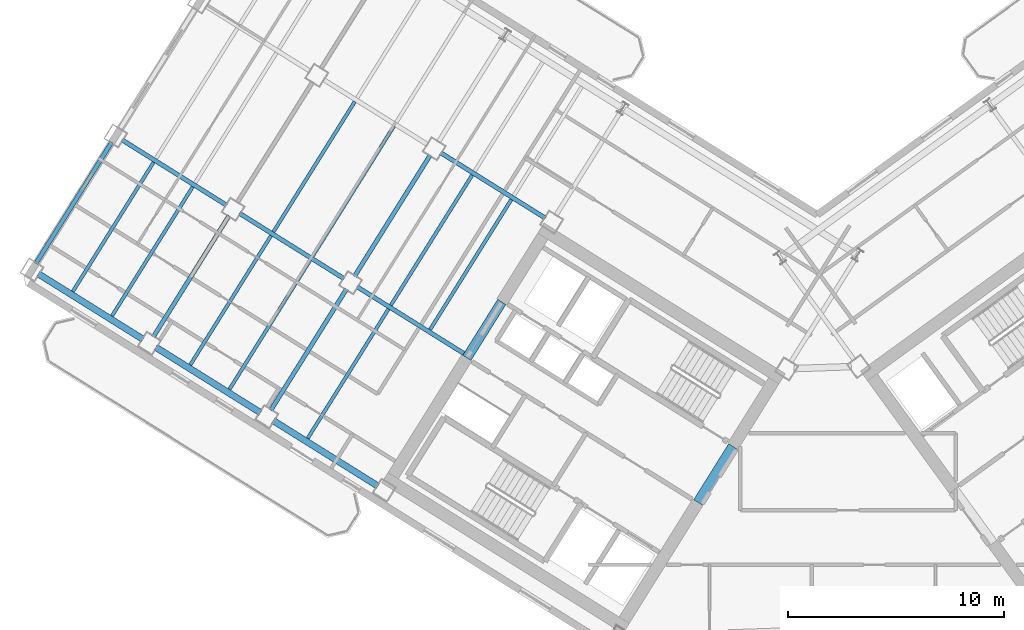
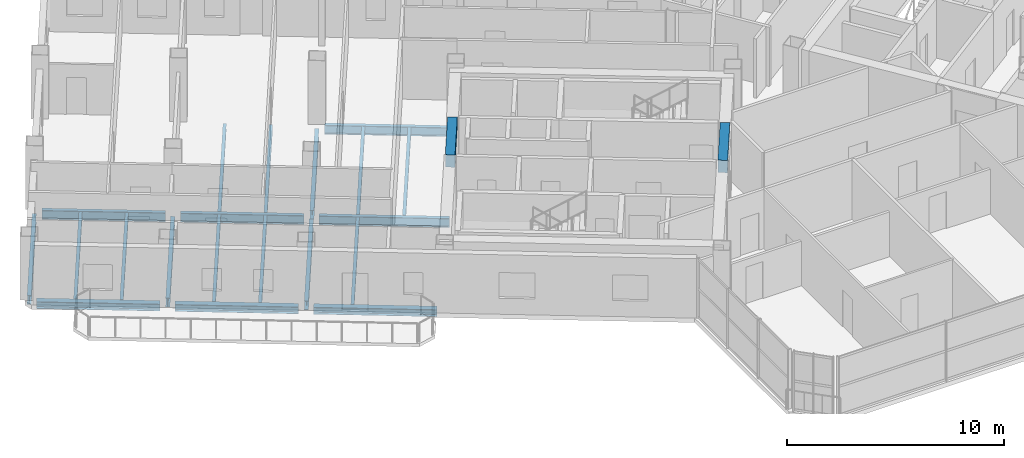
# One storey, part 5 of 20: 22 beams.
"""IFC4 building model written with IfcOpenShell, lengths in metres."""

import ifcopenshell
import ifcopenshell.guid

model = None  # the IFC model being written
_history = None  # IfcOwnerHistory: only IFC2X3 demands one
_inside = {}  # id of a spatial element -> (the spatial element, [elements in it])
_under = {}  # id of a project, library or spatial element -> (it, [spatial elements below it])
_declared = {}  # id of a project -> (the project, [libraries it declares])
_typed = {}  # id of a type object -> (the type object, [elements of that type])
_made_of = {}  # id of a material, layer set ... -> (it, [elements and type objects made of it])


def new_model(schema):
    """Start an empty IFC model of exactly this schema.

    Asked for "IFC4X3", IfcOpenShell would pick the latest addendum, in which some entities
    have other attributes; the version numbers below select the first issue.
    IFC2X3 requires an IfcOwnerHistory on every rooted entity: one is made here for all.
    """
    global model, _history
    if schema == "IFC4X3":
        model = ifcopenshell.file(schema_version=(4, 3, 0, 0))
    else:
        model = ifcopenshell.file(schema=schema)
    _inside.clear()
    _under.clear()
    _declared.clear()
    _typed.clear()
    _made_of.clear()
    _history = None
    if model.schema == "IFC2X3":
        org = make("IfcOrganization", Name="unknown")
        user = make(
            "IfcPersonAndOrganization",
            ThePerson=make("IfcPerson", FamilyName="unknown"),
            TheOrganization=org,
        )
        app = make(
            "IfcApplication",
            ApplicationDeveloper=org,
            Version="unknown",
            ApplicationFullName="unknown",
            ApplicationIdentifier="unknown",
        )
        _history = make(
            "IfcOwnerHistory",
            OwningUser=user,
            OwningApplication=app,
            ChangeAction="ADDED",
            CreationDate=0,
        )
    return model


def make(cls, **values):
    """One entity of the class cls with the attributes given. An attribute that is None is left unset."""
    return model.create_entity(
        cls, **{name: value for name, value in values.items() if value is not None}
    )


def rooted(cls, **values):
    """An entity with a GlobalId (a new one), such as an element, a storey or a relation."""
    return make(cls, GlobalId=ifcopenshell.guid.new(), OwnerHistory=_history, **values)


def si_unit(unit_type, name, prefix=None):
    """IfcSIUnit, for example si_unit("LENGTHUNIT", "METRE", prefix="MILLI")."""
    return make("IfcSIUnit", UnitType=unit_type, Prefix=prefix, Name=name)


def assignment(units):
    """IfcUnitAssignment: the units of a project."""
    return None if units is None else make("IfcUnitAssignment", Units=units)


def point(xyz):
    """IfcCartesianPoint."""
    return None if xyz is None else make("IfcCartesianPoint", Coordinates=xyz)


def direction(xyz):
    """IfcDirection."""
    return None if xyz is None else make("IfcDirection", DirectionRatios=xyz)


def frame(location, z_axis=None, x_axis=None):
    """IfcAxis2Placement3D, a coordinate frame: its origin and axes. An axis left out is left unset."""
    return make(
        "IfcAxis2Placement3D",
        Location=point(location),
        Axis=direction(z_axis),
        RefDirection=direction(x_axis),
    )


def frame_2d(location, x_axis=None):
    """IfcAxis2Placement2D, a coordinate frame in the plane: its origin and x axis."""
    return make(
        "IfcAxis2Placement2D", Location=point(location), RefDirection=direction(x_axis)
    )


def origin():
    """The frame at (0, 0, 0) with its axes left unset."""
    return frame((0.0, 0.0, 0.0))


def origin_2d():
    """The frame at (0, 0) in the plane with its x axis left unset."""
    return frame_2d((0.0, 0.0))


def place(relative_to, where):
    """IfcLocalPlacement: puts the frame where relative to a parent placement (None: the world)."""
    return make(
        "IfcLocalPlacement", PlacementRelTo=relative_to, RelativePlacement=where
    )


def context(
    kind, dimensions, precision=None, world=None, true_north=None, identifier=None
):
    """IfcGeometricRepresentationContext, for example the 3D "Model" context."""
    return make(
        "IfcGeometricRepresentationContext",
        ContextIdentifier=identifier,
        ContextType=kind,
        CoordinateSpaceDimension=dimensions,
        Precision=precision,
        WorldCoordinateSystem=world,
        TrueNorth=true_north,
    )


def subcontext(parent, identifier, kind, view, scale=None):
    """IfcGeometricRepresentationSubContext, for example "Body" below "Model"."""
    return make(
        "IfcGeometricRepresentationSubContext",
        ContextIdentifier=identifier,
        ContextType=kind,
        ParentContext=parent,
        TargetScale=scale,
        TargetView=view,
    )


def project(units=None, contexts=None):
    """IfcProject with its units and contexts."""
    return rooted(
        "IfcProject",
        Name="project",
        RepresentationContexts=contexts,
        UnitsInContext=assignment(units),
    )


def spatial(cls, under=None, at=None, **own):
    """A site, building, storey or space (cls), placed at a placement, below another one or the project."""
    s = rooted(cls, ObjectPlacement=at, **own)
    if under is not None:
        _under.setdefault(under.id(), (under, []))[1].append(s)
    return s


def profile(cls, at=None, kind="AREA", **sizes):
    """A parametric profile (cls). Its sizes go by their IFC names, for example OverallWidth=200.0."""
    return make(cls, ProfileType=kind, Position=at, **sizes)


def rectangle(**sizes):
    """IfcRectangleProfileDef."""
    return profile("IfcRectangleProfileDef", **sizes)


def i_section(**sizes):
    """IfcIShapeProfileDef."""
    return profile("IfcIShapeProfileDef", **sizes)


def extrude(swept, where, along, depth):
    """IfcExtrudedAreaSolid: the profile swept, set in the frame where, extruded along a direction by depth."""
    return make(
        "IfcExtrudedAreaSolid",
        SweptArea=swept,
        Position=where,
        ExtrudedDirection=direction(along),
        Depth=depth,
    )


def shape(context_of_items, identifier, shape_type, items):
    """IfcShapeRepresentation: the items that make up one representation, for example the "Body"."""
    return make(
        "IfcShapeRepresentation",
        ContextOfItems=context_of_items,
        RepresentationIdentifier=identifier,
        RepresentationType=shape_type,
        Items=items,
    )


def source(mapping_origin, context_of_items, identifier, shape_type, items):
    """IfcRepresentationMap: a shape defined once, which mapped items show again and again."""
    return make(
        "IfcRepresentationMap",
        MappingOrigin=mapping_origin,
        MappedRepresentation=shape(context_of_items, identifier, shape_type, items),
    )


def transform(
    local_origin,
    x_axis=None,
    y_axis=None,
    z_axis=None,
    scale=None,
    scale2=None,
    scale3=None,
    uniform=True,
):
    """IfcCartesianTransformationOperator3D, or its non-uniform kind. x_axis, y_axis, z_axis: its Axis1, 2, 3."""
    if uniform:
        return make(
            "IfcCartesianTransformationOperator3D",
            Axis1=direction(x_axis),
            Axis2=direction(y_axis),
            LocalOrigin=point(local_origin),
            Scale=scale,
            Axis3=direction(z_axis),
        )
    return make(
        "IfcCartesianTransformationOperator3DnonUniform",
        Axis1=direction(x_axis),
        Axis2=direction(y_axis),
        LocalOrigin=point(local_origin),
        Scale=scale,
        Axis3=direction(z_axis),
        Scale2=scale2,
        Scale3=scale3,
    )


def mapped(mapping_source, mapping_target):
    """IfcMappedItem: shows the shape of a source again, moved by a transform."""
    return make(
        "IfcMappedItem", MappingSource=mapping_source, MappingTarget=mapping_target
    )


def material(Name=None, Category=None):
    """IfcMaterial."""
    return make("IfcMaterial", Name=Name, Category=Category)


def material_profile(
    of_material, cross_section, Name=None, Category=None, Priority=None
):
    """IfcMaterialProfile: a cross section and its material."""
    return make(
        "IfcMaterialProfile",
        Name=Name,
        Material=of_material,
        Profile=cross_section,
        Priority=Priority,
        Category=Category,
    )


def profile_set(profiles, Name=None, composite=None):
    """IfcMaterialProfileSet."""
    return make(
        "IfcMaterialProfileSet",
        Name=Name,
        MaterialProfiles=profiles,
        CompositeProfile=composite,
    )


def made_of(thing, what):
    """Note that an element or type object is made of a material, layer set ...; save() writes the relation."""
    if what is not None:
        _made_of.setdefault(what.id(), (what, []))[1].append(thing)
    return thing


def type_object(cls, material=None, **own):
    """A type object (cls), such as IfcWallType, which elements share."""
    return made_of(rooted(cls, **own), material)


def element(
    cls,
    number,
    at=None,
    inside=None,
    cuts=None,
    type_object=None,
    material=None,
    context=None,
    identifier="Body",
    shape_type=None,
    held_by="IfcProductDefinitionShape",
    body=None,
    shapes=None,
    **own,
):
    """One element of the class cls, such as IfcWall. Its Tag is "e" and its number.

    at: its placement. inside: the storey or other place that contains it. cuts: it is an
    opening in that element (IfcRelVoidsElement). A single representation is given by context,
    identifier, shape_type and body (its items); several are given by shapes. held_by: the class
    of the entity that holds the representations. save() writes the other relations.
    """
    e = rooted(cls, Tag="e%d" % number, ObjectPlacement=at, **own)
    if body is not None:
        shapes = [shape(context, identifier, shape_type, body)]
    if shapes is not None:
        e.Representation = make(held_by, Representations=shapes)
    if inside is not None:
        _inside.setdefault(inside.id(), (inside, []))[1].append(e)
    if cuts is not None:
        rooted(
            "IfcRelVoidsElement", RelatingBuildingElement=cuts, RelatedOpeningElement=e
        )
    if type_object is not None:
        _typed.setdefault(type_object.id(), (type_object, []))[1].append(e)
    return made_of(e, material)


def aggregate(whole, parts):
    """IfcRelAggregates: a whole, such as a stair, and the parts it consists of."""
    return rooted("IfcRelAggregates", RelatingObject=whole, RelatedObjects=parts)


def save(model, path):
    """Write the relations noted so far, then the file.

    IfcRelAggregates (storeys below a building ...), IfcRelContainedInSpatialStructure (elements
    in a storey), IfcRelDefinesByType, IfcRelAssociatesMaterial and IfcRelDeclares: one each for
    every whole, place, type object, material and project.
    """
    for whole, parts in _under.values():
        aggregate(whole, parts)
    for where, things in _inside.values():
        rooted(
            "IfcRelContainedInSpatialStructure",
            RelatedElements=things,
            RelatingStructure=where,
        )
    for kind, things in _typed.values():
        rooted("IfcRelDefinesByType", RelatedObjects=things, RelatingType=kind)
    for what, things in _made_of.values():
        rooted("IfcRelAssociatesMaterial", RelatedObjects=things, RelatingMaterial=what)
    for by, libraries in _declared.values():
        rooted("IfcRelDeclares", RelatingContext=by, RelatedDefinitions=libraries)
    model.write(path)


model = new_model("IFC4")

# Units and contexts
model_context = context("Model", 3, precision=1e-05, world=origin(), true_north=direction((0.0, 1.0)))
body_context = subcontext(model_context, "Body", "Model", "MODEL_VIEW")
ifc_project = project(units=[si_unit("LENGTHUNIT", "METRE"), si_unit("AREAUNIT", "SQUARE_METRE"), si_unit("VOLUMEUNIT", "CUBIC_METRE"), si_unit("PLANEANGLEUNIT", "RADIAN"), si_unit("MASSUNIT", "GRAM", prefix="KILO")], contexts=[model_context])

# Site, building, storey
site_placement = place(None, origin())
site = spatial("IfcSite", under=ifc_project, at=site_placement, CompositionType="ELEMENT")
building_placement = place(site_placement, origin())
building = spatial("IfcBuilding", under=site, at=building_placement, Name="Tlacorven Tower", CompositionType="ELEMENT")
storey_placement = place(building_placement, frame((0.0, 0.0, 204.0)))
storey = spatial("IfcBuildingStorey", under=building, at=storey_placement, Name="L51", CompositionType="ELEMENT", Elevation=204.0)

# Beams
ifc_material_1 = material(Name="Concrete C60/75", Category="concrete")
ifc_material_profile_1 = material_profile(ifc_material_1, rectangle(XDim=0.449951171875, YDim=0.699951171875, at=origin_2d()), Name="RC 450X700")
ifc_profile_set_1 = profile_set([ifc_material_profile_1], Name="Concrete C60/75")
beam_type_1 = type_object("IfcBeamType", Name="BM-LNT-700", PredefinedType="LINTEL", material=ifc_profile_set_1)
shared_shape_1 = source(origin(), body_context, "Body", "SweptSolid", [
    extrude(rectangle(XDim=0.449951171875, YDim=0.699951171875, at=origin_2d()), origin(), (0.0, 0.0, 1.0), 3.050048828125),
])
beam_1_placement = place(storey_placement, frame((38.2998046875, 20.890625, 3.0), z_axis=(-0.529984549635, -0.848007297815, 0.0), x_axis=(0.848007297815, -0.529984549635, 0.0)))
element("IfcBeam", 1, at=beam_1_placement, inside=storey, type_object=beam_type_1, Name="L51 W core coupling lintel beam E1", PredefinedType="LINTEL", context=body_context, shape_type="MappedRepresentation", body=[
    mapped(shared_shape_1, transform((0.0, 0.0, 0.0), scale=1.0)),
])
shared_shape_2 = source(origin(), body_context, "Body", "SweptSolid", [
    extrude(rectangle(XDim=0.449951171875, YDim=0.699951171875, at=origin_2d()), origin(), (0.0, 0.0, 1.0), 3.0498046875),
])
beam_2_placement = place(storey_placement, frame((27.622802734375, 27.562255859375, 3.0), z_axis=(-0.529926983584, -0.848043272522, 0.0), x_axis=(0.848043272522, -0.529926983584, 0.0)))
element("IfcBeam", 2, at=beam_2_placement, inside=storey, type_object=beam_type_1, Name="L51 W core coupling lintel beam E2", PredefinedType="LINTEL", context=body_context, shape_type="MappedRepresentation", body=[
    mapped(shared_shape_2, transform((0.0, 0.0, 0.0), scale=1.0)),
])
ifc_material_2 = material(Name="Steel S355J2", Category="steel")
ifc_material_profile_2 = material_profile(ifc_material_2, i_section(OverallWidth=0.199951171875, OverallDepth=0.5, WebThickness=0.01025390625, FlangeThickness=0.01611328125, at=origin_2d()), Name="IPE 500")
ifc_profile_set_2 = profile_set([ifc_material_profile_2], Name="Steel S355J2")
beam_type_2 = type_object("IfcBeamType", Name="BM-TWR-500", PredefinedType="BEAM", material=ifc_profile_set_2)
shared_shape_3 = source(origin(), body_context, "Body", "SweptSolid", [
    extrude(i_section(OverallWidth=0.199951171875, OverallDepth=0.5, WebThickness=0.01025390625, FlangeThickness=0.01611328125, at=origin_2d()), origin(), (0.0, 0.0, 1.0), 6.010009765625),
])
beam_3_placement = place(storey_placement, frame((26.025634765625, 25.081787109375, -0.5), z_axis=(-0.848043944584, 0.529925908081, 0.0), x_axis=(-0.529925908081, -0.848043944584, 0.0)))
element("IfcBeam", 3, at=beam_3_placement, inside=storey, type_object=beam_type_2, Name="L51 beam BM-L51-WL3-3", PredefinedType="BEAM", context=body_context, shape_type="MappedRepresentation", body=[
    mapped(shared_shape_3, transform((0.0, 0.0, 0.0), scale=1.0)),
])
shared_shape_4 = source(origin(), body_context, "Body", "SweptSolid", [
    extrude(i_section(OverallWidth=0.199951171875, OverallDepth=0.5, WebThickness=0.01025390625, FlangeThickness=0.01611328125, at=origin_2d()), origin(), (0.0, 0.0, 1.0), 5.7001953125),
])
for number, where, z_axis, x_axis, name in (
    (4, (20.335205078125, 28.637451171875, -0.5), (-0.848036800771, 0.529937340199, 0.0), (-0.529937340199, -0.848036800771, 0.0), "L51 beam BM-L51-WL3-4"),
    (5, (14.90771484375, 32.029052734375, -0.5), (-0.848056048787, 0.529906537151, 0.0), (-0.529906537151, -0.848056048787, 0.0), "L51 beam BM-L51-WL3-5"),
):
    element("IfcBeam", number, at=place(storey_placement, frame(where, z_axis=z_axis, x_axis=x_axis)), inside=storey, type_object=beam_type_2, Name=name, PredefinedType="BEAM", context=body_context, shape_type="MappedRepresentation", body=[
        mapped(shared_shape_4, transform((0.0, 0.0, 0.0), scale=1.0)),
    ])
shared_shape_5 = source(origin(), body_context, "Body", "SweptSolid", [
    extrude(i_section(OverallWidth=0.199951171875, OverallDepth=0.5, WebThickness=0.01025390625, FlangeThickness=0.01611328125, at=origin_2d()), origin(), (0.0, 0.0, 1.0), 5.699951171875),
])
beam_4_placement = place(storey_placement, frame((29.631103515625, 31.436767578125, -0.5), z_axis=(-0.848044021115, 0.529925785607, 0.0), x_axis=(-0.529925785607, -0.848044021115, 0.0)))
element("IfcBeam", 6, at=beam_4_placement, inside=storey, type_object=beam_type_2, Name="L51 beam BM-L51-WL2-3", PredefinedType="BEAM", context=body_context, shape_type="MappedRepresentation", body=[
    mapped(shared_shape_5, transform((0.0, 0.0, 0.0), scale=1.0)),
])
shared_shape_6 = source(origin(), body_context, "Body", "SweptSolid", [
    extrude(i_section(OverallWidth=0.199951171875, OverallDepth=0.5, WebThickness=0.01025390625, FlangeThickness=0.01611328125, at=origin_2d()), origin(), (0.0, 0.0, 1.0), 6.599853515625),
])
beam_5_placement = place(storey_placement, frame((24.31494140625, 34.345947265625, -0.5), z_axis=(-0.529942412256, -0.848033631227, 0.0), x_axis=(0.848033631227, -0.529942412256, 0.0)))
element("IfcBeam", 7, at=beam_5_placement, inside=storey, type_object=beam_type_2, Name="L51 beam BM-L51-WT4-2", PredefinedType="BEAM", context=body_context, shape_type="MappedRepresentation", body=[
    mapped(shared_shape_6, transform((0.0, 0.0, 0.0), scale=1.0)),
])
shared_shape_7 = source(origin(), body_context, "Body", "SweptSolid", [
    extrude(i_section(OverallWidth=0.199951171875, OverallDepth=0.5, WebThickness=0.01025390625, FlangeThickness=0.01611328125, at=origin_2d()), origin(), (0.0, 0.0, 1.0), 6.60009765625),
])
for number, where, z_axis, x_axis, name in (
    (8, (20.446533203125, 28.1552734375, -0.5), (-0.529925788294, -0.848044019436, 0.0), (0.848044019436, -0.529925788294, 0.0), "L51 beam BM-L51-WT4-3"),
    (9, (15.01904296875, 31.546875, -0.5), (-0.529925788294, -0.848044019436, 0.0), (0.848044019436, -0.529925788294, 0.0), "L51 beam BM-L51-WT5-3"),
    (10, (9.591552734375, 34.938232421875, -0.5), (-0.529925788294, -0.848044019436, 0.0), (0.848044019436, -0.529925788294, 0.0), "L51 beam BM-L51-WT6-3"),
):
    element("IfcBeam", number, at=place(storey_placement, frame(where, z_axis=z_axis, x_axis=x_axis)), inside=storey, type_object=beam_type_2, Name=name, PredefinedType="BEAM", context=body_context, shape_type="MappedRepresentation", body=[
        mapped(shared_shape_7, transform((0.0, 0.0, 0.0), scale=1.0)),
    ])
ifc_material_profile_3 = material_profile(ifc_material_2, i_section(OverallWidth=0.159912109375, OverallDepth=0.330078125, WebThickness=0.007568359375, FlangeThickness=0.011474609375, at=origin_2d()), Name="IPE 330")
ifc_profile_set_3 = profile_set([ifc_material_profile_3], Name="Steel S355J2")
beam_type_3 = type_object("IfcBeamType", Name="BM-JST-330", PredefinedType="JOIST", material=ifc_profile_set_3)
shared_shape_8 = source(origin(), body_context, "Body", "SweptSolid", [
    extrude(i_section(OverallWidth=0.159912109375, OverallDepth=0.330078125, WebThickness=0.007568359375, FlangeThickness=0.011474609375, at=origin_2d()), origin(), (0.0, 0.0, 1.0), 7.0400390625),
])
for number, where, z_axis, x_axis, name in (
    (11, (18.767333984375, 29.493408203125, -0.4150390625), (-0.529930359501, -0.848041162963, 0.0), (0.848041162963, -0.529930359501, 0.0), "L51 beam BM-L51-WJ4-3-1"),
    (12, (16.9580078125, 30.6240234375, -0.4150390625), (-0.529930359501, -0.848041162963, 0.0), (0.848041162963, -0.529930359501, 0.0), "L51 beam BM-L51-WJ4-3-2"),
    (13, (13.33984375, 32.885009765625, -0.4150390625), (-0.529930359501, -0.848041162963, 0.0), (0.848041162963, -0.529930359501, 0.0), "L51 beam BM-L51-WJ5-3-1"),
):
    element("IfcBeam", number, at=place(storey_placement, frame(where, z_axis=z_axis, x_axis=x_axis)), inside=storey, type_object=beam_type_3, Name=name, PredefinedType="JOIST", context=body_context, shape_type="MappedRepresentation", body=[
        mapped(shared_shape_8, transform((0.0, 0.0, 0.0), scale=1.0)),
    ])
shared_shape_9 = source(origin(), body_context, "Body", "SweptSolid", [
    extrude(i_section(OverallWidth=0.159912109375, OverallDepth=0.330078125, WebThickness=0.007568359375, FlangeThickness=0.011474609375, at=origin_2d()), origin(), (0.0, 0.0, 1.0), 7.090087890625),
])
for number, where, z_axis, x_axis, name in (
    (14, (28.063232421875, 32.292724609375, -0.4150390625), (-0.529912270669, -0.84805246618, 0.0), (0.84805246618, -0.529912270669, 0.0), "L51 beam BM-L51-WJ3-2-1"),
    (15, (26.25390625, 33.42333984375, -0.4150390625), (-0.529912270669, -0.84805246618, 0.0), (0.84805246618, -0.529912270669, 0.0), "L51 beam BM-L51-WJ3-2-2"),
    (16, (22.6357421875, 35.684326171875, -0.4150390625), (-0.529937035031, -0.848036991471, 0.0), (0.848036991471, -0.529937035031, 0.0), "L51 beam BM-L51-WJ4-2-1"),
):
    element("IfcBeam", number, at=place(storey_placement, frame(where, z_axis=z_axis, x_axis=x_axis)), inside=storey, type_object=beam_type_3, Name=name, PredefinedType="JOIST", context=body_context, shape_type="MappedRepresentation", body=[
        mapped(shared_shape_9, transform((0.0, 0.0, 0.0), scale=1.0)),
    ])
shared_shape_10 = source(origin(), body_context, "Body", "SweptSolid", [
    extrude(i_section(OverallWidth=0.159912109375, OverallDepth=0.330078125, WebThickness=0.007568359375, FlangeThickness=0.011474609375, at=origin_2d()), origin(), (0.0, 0.0, 1.0), 7.08984375),
])
beam_6_placement = place(storey_placement, frame((20.826416015625, 36.814697265625, -0.4150390625), z_axis=(-0.529927745663, -0.848042796312, 0.0), x_axis=(0.848042796312, -0.529927745663, 0.0)))
element("IfcBeam", 17, at=beam_6_placement, inside=storey, type_object=beam_type_3, Name="L51 beam BM-L51-WJ4-2-2", PredefinedType="JOIST", context=body_context, shape_type="MappedRepresentation", body=[
    mapped(shared_shape_10, transform((0.0, 0.0, 0.0), scale=1.0)),
])
shared_shape_11 = source(origin(), body_context, "Body", "SweptSolid", [
    extrude(i_section(OverallWidth=0.159912109375, OverallDepth=0.330078125, WebThickness=0.007568359375, FlangeThickness=0.011474609375, at=origin_2d()), origin(), (0.0, 0.0, 1.0), 7.040283203125),
])
for number, where, z_axis, x_axis, name in (
    (18, (22.385498046875, 27.232666015625, -0.4150390625), (-0.529914775015, -0.848050901315, 0.0), (0.848050901315, -0.529914775015, 0.0), "L51 beam BM-L51-WJ3-3-2"),
    (19, (11.530517578125, 34.015625, -0.4150390625), (-0.529914775015, -0.848050901315, 0.0), (0.848050901315, -0.529914775015, 0.0), "L51 beam BM-L51-WJ5-3-2"),
):
    element("IfcBeam", number, at=place(storey_placement, frame(where, z_axis=z_axis, x_axis=x_axis)), inside=storey, type_object=beam_type_3, Name=name, PredefinedType="JOIST", context=body_context, shape_type="MappedRepresentation", body=[
        mapped(shared_shape_11, transform((0.0, 0.0, 0.0), scale=1.0)),
    ])
ifc_material_profile_4 = material_profile(ifc_material_2, i_section(OverallWidth=0.300048828125, OverallDepth=0.389892578125, WebThickness=0.010986328125, FlangeThickness=0.01904296875, at=origin_2d()), Name="HEA 400")
ifc_profile_set_4 = profile_set([ifc_material_profile_4], Name="Steel S355J2")
beam_type_4 = type_object("IfcBeamType", Name="BM-SPN-400", PredefinedType="SPANDREL", material=ifc_profile_set_4)
shared_shape_12 = source(origin(), body_context, "Body", "SweptSolid", [
    extrude(i_section(OverallWidth=0.300048828125, OverallDepth=0.389892578125, WebThickness=0.010986328125, FlangeThickness=0.01904296875, at=origin_2d()), origin(), (0.0, 0.0, 1.0), 5.699951171875),
])
beam_7_placement = place(storey_placement, frame((21.894287109375, 19.055419921875, -0.445068359375), z_axis=(-0.848044021115, 0.529925785607, 0.0), x_axis=(-0.529925785607, -0.848044021115, 0.0)))
element("IfcBeam", 20, at=beam_7_placement, inside=storey, type_object=beam_type_4, Name="L51 beam BM-L51-WL4-3", PredefinedType="SPANDREL", context=body_context, shape_type="MappedRepresentation", body=[
    mapped(shared_shape_12, transform((0.0, 0.0, 0.0), scale=1.0)),
])
shared_shape_13 = source(origin(), body_context, "Body", "SweptSolid", [
    extrude(i_section(OverallWidth=0.300048828125, OverallDepth=0.389892578125, WebThickness=0.010986328125, FlangeThickness=0.01904296875, at=origin_2d()), origin(), (0.0, 0.0, 1.0), 5.7001953125),
])
for number, where, z_axis, x_axis, name in (
    (21, (16.466796875, 22.44677734375, -0.445068359375), (-0.848056048787, 0.529906537151, 0.0), (-0.529906537151, -0.848056048787, 0.0), "L51 beam BM-L51-WL4-4"),
    (22, (11.039306640625, 25.83837890625, -0.445068359375), (-0.848056048787, 0.529906537151, 0.0), (-0.529906537151, -0.848056048787, 0.0), "L51 beam BM-L51-WL4-5"),
):
    element("IfcBeam", number, at=place(storey_placement, frame(where, z_axis=z_axis, x_axis=x_axis)), inside=storey, type_object=beam_type_4, Name=name, PredefinedType="SPANDREL", context=body_context, shape_type="MappedRepresentation", body=[
        mapped(shared_shape_13, transform((0.0, 0.0, 0.0), scale=1.0)),
    ])

save(model, "model.ifc")
